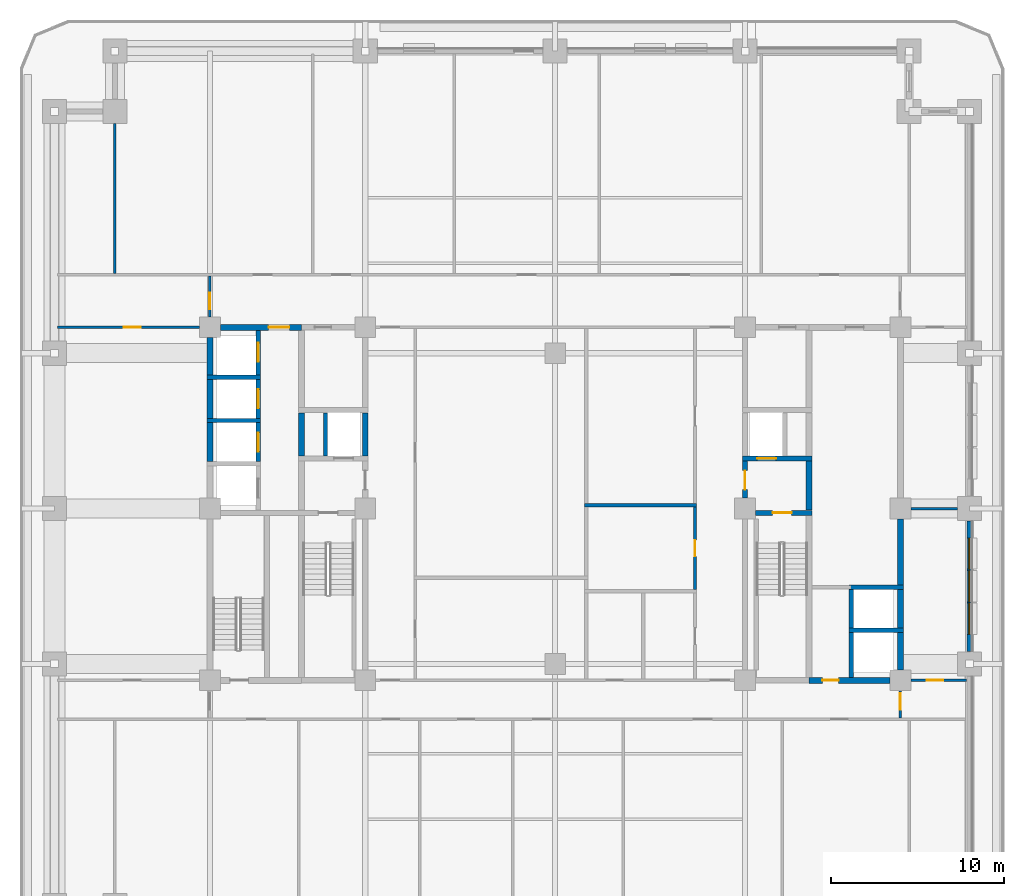
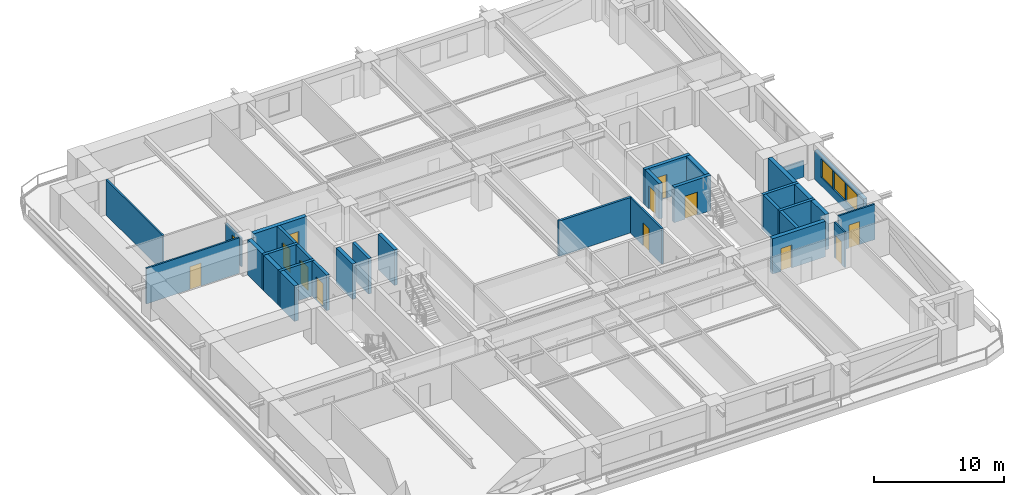
# One storey, part 4 of 14: 33 walls, 13 doors, 3 windows, 16 openings.
"""IFC4 building model written with IfcOpenShell, lengths in metres."""

import ifcopenshell
import ifcopenshell.guid

model = None  # the IFC model being written
_history = None  # IfcOwnerHistory: only IFC2X3 demands one
_inside = {}  # id of a spatial element -> (the spatial element, [elements in it])
_under = {}  # id of a project, library or spatial element -> (it, [spatial elements below it])
_declared = {}  # id of a project -> (the project, [libraries it declares])
_typed = {}  # id of a type object -> (the type object, [elements of that type])
_made_of = {}  # id of a material, layer set ... -> (it, [elements and type objects made of it])


def new_model(schema):
    """Start an empty IFC model of exactly this schema.

    Asked for "IFC4X3", IfcOpenShell would pick the latest addendum, in which some entities
    have other attributes; the version numbers below select the first issue.
    IFC2X3 requires an IfcOwnerHistory on every rooted entity: one is made here for all.
    """
    global model, _history
    if schema == "IFC4X3":
        model = ifcopenshell.file(schema_version=(4, 3, 0, 0))
    else:
        model = ifcopenshell.file(schema=schema)
    _inside.clear()
    _under.clear()
    _declared.clear()
    _typed.clear()
    _made_of.clear()
    _history = None
    if model.schema == "IFC2X3":
        org = make("IfcOrganization", Name="unknown")
        user = make(
            "IfcPersonAndOrganization",
            ThePerson=make("IfcPerson", FamilyName="unknown"),
            TheOrganization=org,
        )
        app = make(
            "IfcApplication",
            ApplicationDeveloper=org,
            Version="unknown",
            ApplicationFullName="unknown",
            ApplicationIdentifier="unknown",
        )
        _history = make(
            "IfcOwnerHistory",
            OwningUser=user,
            OwningApplication=app,
            ChangeAction="ADDED",
            CreationDate=0,
        )
    return model


def make(cls, **values):
    """One entity of the class cls with the attributes given. An attribute that is None is left unset."""
    return model.create_entity(
        cls, **{name: value for name, value in values.items() if value is not None}
    )


def rooted(cls, **values):
    """An entity with a GlobalId (a new one), such as an element, a storey or a relation."""
    return make(cls, GlobalId=ifcopenshell.guid.new(), OwnerHistory=_history, **values)


def si_unit(unit_type, name, prefix=None):
    """IfcSIUnit, for example si_unit("LENGTHUNIT", "METRE", prefix="MILLI")."""
    return make("IfcSIUnit", UnitType=unit_type, Prefix=prefix, Name=name)


def assignment(units):
    """IfcUnitAssignment: the units of a project."""
    return None if units is None else make("IfcUnitAssignment", Units=units)


def point(xyz):
    """IfcCartesianPoint."""
    return None if xyz is None else make("IfcCartesianPoint", Coordinates=xyz)


def direction(xyz):
    """IfcDirection."""
    return None if xyz is None else make("IfcDirection", DirectionRatios=xyz)


def frame(location, z_axis=None, x_axis=None):
    """IfcAxis2Placement3D, a coordinate frame: its origin and axes. An axis left out is left unset."""
    return make(
        "IfcAxis2Placement3D",
        Location=point(location),
        Axis=direction(z_axis),
        RefDirection=direction(x_axis),
    )


def frame_2d(location, x_axis=None):
    """IfcAxis2Placement2D, a coordinate frame in the plane: its origin and x axis."""
    return make(
        "IfcAxis2Placement2D", Location=point(location), RefDirection=direction(x_axis)
    )


def origin():
    """The frame at (0, 0, 0) with its axes left unset."""
    return frame((0.0, 0.0, 0.0))


def place(relative_to, where):
    """IfcLocalPlacement: puts the frame where relative to a parent placement (None: the world)."""
    return make(
        "IfcLocalPlacement", PlacementRelTo=relative_to, RelativePlacement=where
    )


def context(
    kind, dimensions, precision=None, world=None, true_north=None, identifier=None
):
    """IfcGeometricRepresentationContext, for example the 3D "Model" context."""
    return make(
        "IfcGeometricRepresentationContext",
        ContextIdentifier=identifier,
        ContextType=kind,
        CoordinateSpaceDimension=dimensions,
        Precision=precision,
        WorldCoordinateSystem=world,
        TrueNorth=true_north,
    )


def subcontext(parent, identifier, kind, view, scale=None):
    """IfcGeometricRepresentationSubContext, for example "Body" below "Model"."""
    return make(
        "IfcGeometricRepresentationSubContext",
        ContextIdentifier=identifier,
        ContextType=kind,
        ParentContext=parent,
        TargetScale=scale,
        TargetView=view,
    )


def project(units=None, contexts=None):
    """IfcProject with its units and contexts."""
    return rooted(
        "IfcProject",
        Name="project",
        RepresentationContexts=contexts,
        UnitsInContext=assignment(units),
    )


def spatial(cls, under=None, at=None, **own):
    """A site, building, storey or space (cls), placed at a placement, below another one or the project."""
    s = rooted(cls, ObjectPlacement=at, **own)
    if under is not None:
        _under.setdefault(under.id(), (under, []))[1].append(s)
    return s


def profile(cls, at=None, kind="AREA", **sizes):
    """A parametric profile (cls). Its sizes go by their IFC names, for example OverallWidth=200.0."""
    return make(cls, ProfileType=kind, Position=at, **sizes)


def rectangle(**sizes):
    """IfcRectangleProfileDef."""
    return profile("IfcRectangleProfileDef", **sizes)


def extrude(swept, where, along, depth):
    """IfcExtrudedAreaSolid: the profile swept, set in the frame where, extruded along a direction by depth."""
    return make(
        "IfcExtrudedAreaSolid",
        SweptArea=swept,
        Position=where,
        ExtrudedDirection=direction(along),
        Depth=depth,
    )


def shape(context_of_items, identifier, shape_type, items):
    """IfcShapeRepresentation: the items that make up one representation, for example the "Body"."""
    return make(
        "IfcShapeRepresentation",
        ContextOfItems=context_of_items,
        RepresentationIdentifier=identifier,
        RepresentationType=shape_type,
        Items=items,
    )


def material(Name=None, Category=None):
    """IfcMaterial."""
    return make("IfcMaterial", Name=Name, Category=Category)


def layer(
    of_material, thickness, ventilated=None, Name=None, Category=None, Priority=None
):
    """IfcMaterialLayer: one layer of a wall or slab, of a material (None: an air gap)."""
    return make(
        "IfcMaterialLayer",
        Material=of_material,
        LayerThickness=thickness,
        IsVentilated=ventilated,
        Name=Name,
        Category=Category,
        Priority=Priority,
    )


def layer_set(layers, Name=None):
    """IfcMaterialLayerSet."""
    return make("IfcMaterialLayerSet", MaterialLayers=layers, LayerSetName=Name)


def made_of(thing, what):
    """Note that an element or type object is made of a material, layer set ...; save() writes the relation."""
    if what is not None:
        _made_of.setdefault(what.id(), (what, []))[1].append(thing)
    return thing


def type_object(cls, material=None, **own):
    """A type object (cls), such as IfcWallType, which elements share."""
    return made_of(rooted(cls, **own), material)


def element(
    cls,
    number,
    at=None,
    inside=None,
    cuts=None,
    type_object=None,
    material=None,
    context=None,
    identifier="Body",
    shape_type=None,
    held_by="IfcProductDefinitionShape",
    body=None,
    shapes=None,
    **own,
):
    """One element of the class cls, such as IfcWall. Its Tag is "e" and its number.

    at: its placement. inside: the storey or other place that contains it. cuts: it is an
    opening in that element (IfcRelVoidsElement). A single representation is given by context,
    identifier, shape_type and body (its items); several are given by shapes. held_by: the class
    of the entity that holds the representations. save() writes the other relations.
    """
    e = rooted(cls, Tag="e%d" % number, ObjectPlacement=at, **own)
    if body is not None:
        shapes = [shape(context, identifier, shape_type, body)]
    if shapes is not None:
        e.Representation = make(held_by, Representations=shapes)
    if inside is not None:
        _inside.setdefault(inside.id(), (inside, []))[1].append(e)
    if cuts is not None:
        rooted(
            "IfcRelVoidsElement", RelatingBuildingElement=cuts, RelatedOpeningElement=e
        )
    if type_object is not None:
        _typed.setdefault(type_object.id(), (type_object, []))[1].append(e)
    return made_of(e, material)


def fill(opening, filler):
    """IfcRelFillsElement: the door or window that sits in an opening."""
    return rooted(
        "IfcRelFillsElement",
        RelatingOpeningElement=opening,
        RelatedBuildingElement=filler,
    )


def aggregate(whole, parts):
    """IfcRelAggregates: a whole, such as a stair, and the parts it consists of."""
    return rooted("IfcRelAggregates", RelatingObject=whole, RelatedObjects=parts)


def save(model, path):
    """Write the relations noted so far, then the file.

    IfcRelAggregates (storeys below a building ...), IfcRelContainedInSpatialStructure (elements
    in a storey), IfcRelDefinesByType, IfcRelAssociatesMaterial and IfcRelDeclares: one each for
    every whole, place, type object, material and project.
    """
    for whole, parts in _under.values():
        aggregate(whole, parts)
    for where, things in _inside.values():
        rooted(
            "IfcRelContainedInSpatialStructure",
            RelatedElements=things,
            RelatingStructure=where,
        )
    for kind, things in _typed.values():
        rooted("IfcRelDefinesByType", RelatedObjects=things, RelatingType=kind)
    for what, things in _made_of.values():
        rooted("IfcRelAssociatesMaterial", RelatedObjects=things, RelatingMaterial=what)
    for by, libraries in _declared.values():
        rooted("IfcRelDeclares", RelatingContext=by, RelatedDefinitions=libraries)
    model.write(path)


model = new_model("IFC4")

# Units and contexts
model_context = context("Model", 3, precision=1e-05, world=origin(), true_north=direction((0.0, 1.0)))
body_context = subcontext(model_context, "Body", "Model", "MODEL_VIEW")
ifc_project = project(units=[si_unit("LENGTHUNIT", "METRE"), si_unit("AREAUNIT", "SQUARE_METRE"), si_unit("VOLUMEUNIT", "CUBIC_METRE"), si_unit("PLANEANGLEUNIT", "RADIAN"), si_unit("MASSUNIT", "GRAM", prefix="KILO")], contexts=[model_context])

# Site, building, storey
site_placement = place(None, origin())
site = spatial("IfcSite", under=ifc_project, at=site_placement, CompositionType="ELEMENT")
building_placement = place(site_placement, origin())
building = spatial("IfcBuilding", under=site, at=building_placement, Name="Zulmaris Gate Convention Tower", CompositionType="ELEMENT")
storey_placement = place(building_placement, frame((0.0, 0.0, 60.760009765625)))
storey = spatial("IfcBuildingStorey", under=building, at=storey_placement, Name="L14", CompositionType="ELEMENT", Elevation=60.760009765625)

# Walls
ifc_material_1 = material(Name="Concrete C50/60", Category="concrete")
ifc_layer_1 = layer(ifc_material_1, 0.25, Name="Concrete C50/60")
ifc_layer_set_1 = layer_set([ifc_layer_1], Name="Concrete C50/60")
wall_type_1 = type_object("IfcWallType", Name="CORE-250", PredefinedType="SOLIDWALL", material=ifc_layer_set_1)
for number, where, z_axis, x_axis, name in (
    (1, (17.02490234375, -7.050048828125, 0.0), (0.0, 0.0, 1.0), (1.0, 0.0, 0.0), "WL-L14-005"),
    (2, (17.02490234375, -4.550048828125, 0.0), (0.0, 0.0, 1.0), (1.0, 0.0, 0.0), "WL-L14-006"),
):
    element("IfcWall", number, at=place(storey_placement, frame(where, z_axis=z_axis, x_axis=x_axis)), inside=storey, type_object=wall_type_1, Name=name, PredefinedType="SOLIDWALL", context=body_context, shape_type="SweptSolid", body=[
        extrude(rectangle(XDim=3.150146484375, YDim=0.25, at=frame_2d((1.5751953125, 0.0))), origin(), (0.0, 0.0, 1.0), 3.31982421875),
    ])
for number, where, z_axis, x_axis, name in (
    (3, (-20.175048828125, 5.10009765625, 0.0), (0.0, 0.0, 1.0), (1.0, 0.0, 0.0), "WL-L14-012"),
    (4, (-20.175048828125, 7.60009765625, 0.0), (0.0, 0.0, 1.0), (1.0, 0.0, 0.0), "WL-L14-015"),
):
    element("IfcWall", number, at=place(storey_placement, frame(where, z_axis=z_axis, x_axis=x_axis)), inside=storey, type_object=wall_type_1, Name=name, PredefinedType="SOLIDWALL", context=body_context, shape_type="SweptSolid", body=[
        extrude(rectangle(XDim=3.10009765625, YDim=0.25, at=frame_2d((1.550048828125, 0.0))), origin(), (0.0, 0.0, 1.0), 3.31982421875),
    ])

# Wall, opening, door
wall_1_placement = place(storey_placement, frame((-17.199951171875, 2.72705078125, 0.0), z_axis=(0.0, 0.0, 1.0), x_axis=(0.0, 1.0, 0.0)))
wall_1 = element("IfcWall", 5, at=wall_1_placement, inside=storey, type_object=wall_type_1, Name="WL-L14-039", PredefinedType="SOLIDWALL", context=body_context, shape_type="SweptSolid", body=[
    extrude(rectangle(XDim=2.245849609375, YDim=0.25, at=frame_2d((1.123046875, 0.0))), origin(), (0.0, 0.0, 1.0), 3.31982421875),
])
opening_1_placement = place(wall_1_placement, frame((0.572998046875, 0.0, 0.0)))
opening_1 = element("IfcOpeningElement", 6, at=opening_1_placement, cuts=wall_1, Name="Opening D-06", PredefinedType="OPENING", context=body_context, shape_type="SweptSolid", body=[
    extrude(rectangle(XDim=1.10009765625, YDim=2.199951171875, at=frame_2d((0.550048828125, 1.10009765625))), frame((0.0, 0.135009765625, 0.0), z_axis=(0.0, -1.0, 0.0), x_axis=(1.0, 0.0, 0.0)), (0.0, 0.0, 1.0), 0.27001953125),
])
ifc_material_2 = material(Name="Brushed Stainless Steel", Category="steel")
door_type_1 = type_object("IfcDoorType", Name="LD-1100", OperationType="NOTDEFINED", PredefinedType="DOOR", material=ifc_material_2)
door_1_placement = place(opening_1_placement, origin())
door_1 = element("IfcDoor", 7, at=door_1_placement, inside=storey, type_object=door_type_1, Name="L14 Lift Landing Door LP-02 12", OperationType="SLIDING_TO_LEFT", OverallHeight=2.199951171875, OverallWidth=1.10009765625, PredefinedType="DOOR", context=body_context, shape_type="SweptSolid", body=[
    extrude(rectangle(XDim=1.10009765625, YDim=2.199951171875, at=frame_2d((0.550048828125, 1.10009765625))), frame((0.0, 0.02490234375, 0.0), z_axis=(0.0, -1.0, 0.0), x_axis=(1.0, 0.0, 0.0)), (0.0, 0.0, 1.0), 0.050048828125),
])
fill(opening_1, door_1)

wall_2_placement = place(storey_placement, frame((-17.199951171875, 5.22705078125, 0.0), z_axis=(0.0, 0.0, 1.0), x_axis=(0.0, 1.0, 0.0)))
wall_2 = element("IfcWall", 8, at=wall_2_placement, inside=storey, type_object=wall_type_1, Name="WL-L14-040", PredefinedType="SOLIDWALL", context=body_context, shape_type="SweptSolid", body=[
    extrude(rectangle(XDim=2.245849609375, YDim=0.25, at=frame_2d((1.123046875, 0.0))), origin(), (0.0, 0.0, 1.0), 3.31982421875),
])
opening_2_placement = place(wall_2_placement, frame((0.572998046875, 0.0, 0.0)))
opening_2 = element("IfcOpeningElement", 9, at=opening_2_placement, cuts=wall_2, Name="Opening D-06", PredefinedType="OPENING", context=body_context, shape_type="SweptSolid", body=[
    extrude(rectangle(XDim=1.10009765625, YDim=2.199951171875, at=frame_2d((0.550048828125, 1.10009765625))), frame((0.0, 0.135009765625, 0.0), z_axis=(0.0, -1.0, 0.0), x_axis=(1.0, 0.0, 0.0)), (0.0, 0.0, 1.0), 0.27001953125),
])
door_2_placement = place(opening_2_placement, origin())
door_2 = element("IfcDoor", 10, at=door_2_placement, inside=storey, type_object=door_type_1, Name="L14 Lift Landing Door LP-03 13", OperationType="SLIDING_TO_LEFT", OverallHeight=2.199951171875, OverallWidth=1.10009765625, PredefinedType="DOOR", context=body_context, shape_type="SweptSolid", body=[
    extrude(rectangle(XDim=1.10009765625, YDim=2.199951171875, at=frame_2d((0.550048828125, 1.10009765625))), frame((0.0, 0.02490234375, 0.0), z_axis=(0.0, -1.0, 0.0), x_axis=(1.0, 0.0, 0.0)), (0.0, 0.0, 1.0), 0.050048828125),
])
fill(opening_2, door_2)

wall_3_placement = place(storey_placement, frame((-17.199951171875, 7.72705078125, 0.0), z_axis=(0.0, 0.0, 1.0), x_axis=(0.0, 1.0, 0.0)))
wall_3 = element("IfcWall", 11, at=wall_3_placement, inside=storey, type_object=wall_type_1, Name="WL-L14-041", PredefinedType="SOLIDWALL", context=body_context, shape_type="SweptSolid", body=[
    extrude(rectangle(XDim=2.595947265625, YDim=0.25, at=frame_2d((1.2978515625, 0.0))), origin(), (0.0, 0.0, 1.0), 3.31982421875),
])
opening_3_placement = place(wall_3_placement, frame((0.77294921875, 0.0, 0.0)))
opening_3 = element("IfcOpeningElement", 12, at=opening_3_placement, cuts=wall_3, Name="Opening D-06", PredefinedType="OPENING", context=body_context, shape_type="SweptSolid", body=[
    extrude(rectangle(XDim=1.10009765625, YDim=2.199951171875, at=frame_2d((0.550048828125, 1.10009765625))), frame((0.0, 0.135009765625, 0.0), z_axis=(0.0, -1.0, 0.0), x_axis=(1.0, 0.0, 0.0)), (0.0, 0.0, 1.0), 0.27001953125),
])
door_3_placement = place(opening_3_placement, origin())
door_3 = element("IfcDoor", 13, at=door_3_placement, inside=storey, type_object=door_type_1, Name="L14 Lift Landing Door LP-04 14", OperationType="SLIDING_TO_LEFT", OverallHeight=2.199951171875, OverallWidth=1.10009765625, PredefinedType="DOOR", context=body_context, shape_type="SweptSolid", body=[
    extrude(rectangle(XDim=1.10009765625, YDim=2.199951171875, at=frame_2d((0.550048828125, 1.10009765625))), frame((0.0, 0.02490234375, 0.0), z_axis=(0.0, -1.0, 0.0), x_axis=(1.0, 0.0, 0.0)), (0.0, 0.0, 1.0), 0.050048828125),
])
fill(opening_3, door_3)

# Walls
wall_4_placement = place(storey_placement, frame((-13.300048828125, 3.052001953125, 0.0), z_axis=(0.0, 0.0, 1.0), x_axis=(0.0, 1.0, 0.0)))
element("IfcWall", 14, at=wall_4_placement, inside=storey, type_object=wall_type_1, Name="WL-L14-047", PredefinedType="SOLIDWALL", context=body_context, shape_type="SweptSolid", body=[
    extrude(rectangle(XDim=2.49609375, YDim=0.25, at=frame_2d((1.248046875, 0.0))), origin(), (0.0, 0.0, 1.0), 3.31982421875),
])
wall_5_placement = place(storey_placement, frame((17.14990234375, -9.77294921875, 0.0), z_axis=(0.0, 0.0, 1.0), x_axis=(0.0, 1.0, 0.0)))
element("IfcWall", 15, at=wall_5_placement, inside=storey, type_object=wall_type_1, Name="WL-L14-063", PredefinedType="SOLIDWALL", context=body_context, shape_type="SweptSolid", body=[
    extrude(rectangle(XDim=2.595947265625, YDim=0.25, at=frame_2d((1.2978515625, 0.0))), origin(), (0.0, 0.0, 1.0), 3.31982421875),
])
wall_6_placement = place(storey_placement, frame((17.14990234375, -6.923095703125, 0.0), z_axis=(0.0, 0.0, 1.0), x_axis=(0.0, 1.0, 0.0)))
element("IfcWall", 16, at=wall_6_placement, inside=storey, type_object=wall_type_1, Name="WL-L14-064", PredefinedType="SOLIDWALL", context=body_context, shape_type="SweptSolid", body=[
    extrude(rectangle(XDim=2.24609375, YDim=0.25, at=frame_2d((1.123046875, 0.0))), origin(), (0.0, 0.0, 1.0), 3.31982421875),
])

# Wall, opening, door
ifc_layer_2 = layer(ifc_material_1, 0.300048828125, Name="Concrete C50/60")
ifc_layer_set_2 = layer_set([ifc_layer_2], Name="Concrete C50/60")
wall_type_2 = type_object("IfcWallType", Name="CORE-300", PredefinedType="SHEAR", material=ifc_layer_set_2)
wall_7_placement = place(storey_placement, frame((11.60400390625, -0.25, 0.0), z_axis=(0.0, 0.0, 1.0), x_axis=(1.0, 0.0, 0.0)))
wall_7 = element("IfcWall", 17, at=wall_7_placement, inside=storey, type_object=wall_type_2, Name="WL-L14-008", PredefinedType="SHEAR", context=body_context, shape_type="SweptSolid", body=[
    extrude(rectangle(XDim=3.27099609375, YDim=0.300048828125, at=frame_2d((1.635498046875, 0.0))), origin(), (0.0, 0.0, 1.0), 3.31982421875),
])
opening_4_placement = place(wall_7_placement, frame((0.99609375, 0.0, 0.0)))
opening_4 = element("IfcOpeningElement", 18, at=opening_4_placement, cuts=wall_7, Name="Opening D-08", PredefinedType="OPENING", context=body_context, shape_type="SweptSolid", body=[
    extrude(rectangle(XDim=1.10009765625, YDim=2.14990234375, at=frame_2d((0.550048828125, 1.074951171875))), frame((0.0, 0.16015625, 0.0), z_axis=(0.0, -1.0, 0.0), x_axis=(1.0, 0.0, 0.0)), (0.0, 0.0, 1.0), 0.320068359375),
])
ifc_material_3 = material(Name="Fire-Rated Steel", Category="steel")
door_type_2 = type_object("IfcDoorType", Name="DR-1100-FD", OperationType="NOTDEFINED", PredefinedType="DOOR", material=ifc_material_3)
door_4_placement = place(opening_4_placement, origin())
door_4 = element("IfcDoor", 19, at=door_4_placement, inside=storey, type_object=door_type_2, Name="L14 Exit Stair ST-2 Door 04", OperationType="SINGLE_SWING_RIGHT", OverallHeight=2.14990234375, OverallWidth=1.10009765625, PredefinedType="DOOR", context=body_context, shape_type="SweptSolid", body=[
    extrude(rectangle(XDim=1.10009765625, YDim=2.14990234375, at=frame_2d((0.550048828125, 1.074951171875))), frame((0.0, 0.02490234375, 0.0), z_axis=(0.0, -1.0, 0.0), x_axis=(1.0, 0.0, 0.0)), (0.0, 0.0, 1.0), 0.050048828125),
])
fill(opening_4, door_4)

wall_8_placement = place(storey_placement, frame((10.85009765625, 2.89990234375, 0.0), z_axis=(0.0, 0.0, 1.0), x_axis=(1.0, 0.0, 0.0)))
wall_8 = element("IfcWall", 20, at=wall_8_placement, inside=storey, type_object=wall_type_2, Name="WL-L14-011", PredefinedType="SHEAR", context=body_context, shape_type="SweptSolid", body=[
    extrude(rectangle(XDim=4.02490234375, YDim=0.300048828125, at=frame_2d((2.012451171875, 0.0))), origin(), (0.0, 0.0, 1.0), 3.31982421875),
])
opening_5_placement = place(wall_8_placement, frame((0.85009765625, 0.0, 0.0)))
opening_5 = element("IfcOpeningElement", 21, at=opening_5_placement, cuts=wall_8, Name="Opening D-06", PredefinedType="OPENING", context=body_context, shape_type="SweptSolid", body=[
    extrude(rectangle(XDim=1.10009765625, YDim=2.199951171875, at=frame_2d((0.550048828125, 1.10009765625))), frame((0.0, 0.16015625, 0.0), z_axis=(0.0, -1.0, 0.0), x_axis=(1.0, 0.0, 0.0)), (0.0, 0.0, 1.0), 0.320068359375),
])
door_5_placement = place(opening_5_placement, origin())
door_5 = element("IfcDoor", 22, at=door_5_placement, inside=storey, type_object=door_type_1, Name="L14 Lift Landing Door LF-02 06", OperationType="SLIDING_TO_RIGHT", OverallHeight=2.199951171875, OverallWidth=1.10009765625, PredefinedType="DOOR", context=body_context, shape_type="SweptSolid", body=[
    extrude(rectangle(XDim=1.10009765625, YDim=2.199951171875, at=frame_2d((0.550048828125, 1.10009765625))), frame((0.0, 0.02490234375, 0.0), z_axis=(0.0, -1.0, 0.0), x_axis=(1.0, 0.0, 0.0)), (0.0, 0.0, 1.0), 0.050048828125),
])
fill(opening_5, door_5)

# Wall
wall_9_placement = place(storey_placement, frame((-11.0, 3.052001953125, 0.0), z_axis=(0.0, 0.0, 1.0), x_axis=(0.0, 1.0, 0.0)))
element("IfcWall", 23, at=wall_9_placement, inside=storey, type_object=wall_type_2, Name="WL-L14-051", PredefinedType="SHEAR", context=body_context, shape_type="SweptSolid", body=[
    extrude(rectangle(XDim=2.49609375, YDim=0.300048828125, at=frame_2d((1.248046875, 0.0))), origin(), (0.0, 0.0, 1.0), 3.31982421875),
])

# Wall, opening, door
wall_10_placement = place(storey_placement, frame((11.0, 0.60400390625, 0.0), z_axis=(0.0, 0.0, 1.0), x_axis=(0.0, 1.0, 0.0)))
wall_10 = element("IfcWall", 24, at=wall_10_placement, inside=storey, type_object=wall_type_2, Name="WL-L14-054", PredefinedType="SHEAR", context=body_context, shape_type="SweptSolid", body=[
    extrude(rectangle(XDim=2.14404296875, YDim=0.300048828125, at=frame_2d((1.072021484375, 0.0))), origin(), (0.0, 0.0, 1.0), 3.31982421875),
])
opening_6_placement = place(wall_10_placement, frame((0.49609375, 0.0, 0.0)))
opening_6 = element("IfcOpeningElement", 25, at=opening_6_placement, cuts=wall_10, Name="Opening D-08", PredefinedType="OPENING", context=body_context, shape_type="SweptSolid", body=[
    extrude(rectangle(XDim=1.10009765625, YDim=2.14990234375, at=frame_2d((0.550048828125, 1.074951171875))), frame((0.0, 0.16015625, 0.0), z_axis=(0.0, -1.0, 0.0), x_axis=(1.0, 0.0, 0.0)), (0.0, 0.0, 1.0), 0.320068359375),
])
door_6_placement = place(opening_6_placement, origin())
door_6 = element("IfcDoor", 26, at=door_6_placement, inside=storey, type_object=door_type_2, Name="L14 East Firefighting Lobby Door 05", OperationType="SINGLE_SWING_LEFT", OverallHeight=2.14990234375, OverallWidth=1.10009765625, PredefinedType="DOOR", context=body_context, shape_type="SweptSolid", body=[
    extrude(rectangle(XDim=1.10009765625, YDim=2.14990234375, at=frame_2d((0.550048828125, 1.074951171875))), frame((0.0, 0.02490234375, 0.0), z_axis=(0.0, -1.0, 0.0), x_axis=(1.0, 0.0, 0.0)), (0.0, 0.0, 1.0), 0.050048828125),
])
fill(opening_6, door_6)

ifc_material_4 = material(Name="Concrete C55/67", Category="concrete")
ifc_layer_3 = layer(ifc_material_4, 0.35009765625, Name="Concrete C55/67")
ifc_layer_set_3 = layer_set([ifc_layer_3], Name="Concrete C55/67")
wall_type_3 = type_object("IfcWallType", Name="CORE-350", PredefinedType="SHEAR", material=ifc_layer_set_3)
wall_11_placement = place(storey_placement, frame((14.699951171875, -9.949951171875, 0.0), z_axis=(0.0, 0.0, 1.0), x_axis=(1.0, 0.0, 0.0)))
wall_11 = element("IfcWall", 27, at=wall_11_placement, inside=storey, type_object=wall_type_3, Name="WL-L14-004", PredefinedType="SHEAR", context=body_context, shape_type="SweptSolid", body=[
    extrude(rectangle(XDim=4.696044921875, YDim=0.35009765625, at=frame_2d((2.34814453125, 0.0))), origin(), (0.0, 0.0, 1.0), 3.31982421875),
])
opening_7_placement = place(wall_11_placement, frame((0.77490234375, 0.0, 0.0)))
opening_7 = element("IfcOpeningElement", 28, at=opening_7_placement, cuts=wall_11, Name="Opening D-11", PredefinedType="OPENING", context=body_context, shape_type="SweptSolid", body=[
    extrude(rectangle(XDim=0.949951171875, YDim=2.14990234375, at=frame_2d((0.47509765625, 1.074951171875))), frame((0.0, 0.18505859375, 0.0), z_axis=(0.0, -1.0, 0.0), x_axis=(1.0, 0.0, 0.0)), (0.0, 0.0, 1.0), 0.3701171875),
])
ifc_material_5 = material(Name="Fire-Rated Timber", Category="wood")
door_type_3 = type_object("IfcDoorType", Name="DR-950-FD", OperationType="NOTDEFINED", PredefinedType="DOOR", material=ifc_material_5)
door_7_placement = place(opening_7_placement, origin())
door_7 = element("IfcDoor", 29, at=door_7_placement, inside=storey, type_object=door_type_3, Name="L14 East Cleaners Store Door 15", OperationType="SINGLE_SWING_RIGHT", OverallHeight=2.14990234375, OverallWidth=0.949951171875, PredefinedType="DOOR", context=body_context, shape_type="SweptSolid", body=[
    extrude(rectangle(XDim=0.949951171875, YDim=2.14990234375, at=frame_2d((0.47509765625, 1.074951171875))), frame((0.0, 0.02490234375, 0.0), z_axis=(0.0, -1.0, 0.0), x_axis=(1.0, 0.0, 0.0)), (0.0, 0.0, 1.0), 0.050048828125),
])
fill(opening_7, door_7)

wall_12_placement = place(storey_placement, frame((-19.39599609375, 10.5, 0.0), z_axis=(0.0, 0.0, 1.0), x_axis=(1.0, 0.0, 0.0)))
wall_12 = element("IfcWall", 30, at=wall_12_placement, inside=storey, type_object=wall_type_3, Name="WL-L14-016", PredefinedType="SHEAR", context=body_context, shape_type="SweptSolid", body=[
    extrude(rectangle(XDim=4.696044921875, YDim=0.35009765625, at=frame_2d((2.34814453125, 0.0))), origin(), (0.0, 0.0, 1.0), 3.31982421875),
])
opening_8_placement = place(wall_12_placement, frame((2.7958984375, 0.0, 0.0)))
opening_8 = element("IfcOpeningElement", 31, at=opening_8_placement, cuts=wall_12, Name="Opening D-13", PredefinedType="OPENING", context=body_context, shape_type="SweptSolid", body=[
    extrude(rectangle(XDim=1.199951171875, YDim=2.14990234375, at=frame_2d((0.60009765625, 1.074951171875))), frame((0.0, 0.18505859375, 0.0), z_axis=(0.0, -1.0, 0.0), x_axis=(1.0, 0.0, 0.0)), (0.0, 0.0, 1.0), 0.3701171875),
])
door_type_4 = type_object("IfcDoorType", Name="DR-1200-FD", OperationType="NOTDEFINED", PredefinedType="DOOR", material=ifc_material_3)
door_8_placement = place(opening_8_placement, origin())
door_8 = element("IfcDoor", 32, at=door_8_placement, inside=storey, type_object=door_type_4, Name="L14 Low-Rise Lift Lobby Door 10", OperationType="SINGLE_SWING_LEFT", OverallHeight=2.14990234375, OverallWidth=1.199951171875, PredefinedType="DOOR", context=body_context, shape_type="SweptSolid", body=[
    extrude(rectangle(XDim=1.199951171875, YDim=2.14990234375, at=frame_2d((0.60009765625, 1.074951171875))), frame((0.0, 0.02490234375, 0.0), z_axis=(0.0, -1.0, 0.0), x_axis=(1.0, 0.0, 0.0)), (0.0, 0.0, 1.0), 0.050048828125),
])
fill(opening_8, door_8)

# Walls
for number, where, z_axis, x_axis, name in (
    (33, (-20.0, 2.72705078125, 0.0), (0.0, 0.0, 1.0), (0.0, 1.0, 0.0), "WL-L14-035"),
    (34, (-20.0, 5.22705078125, 0.0), (0.0, 0.0, 1.0), (0.0, 1.0, 0.0), "WL-L14-036"),
):
    element("IfcWall", number, at=place(storey_placement, frame(where, z_axis=z_axis, x_axis=x_axis)), inside=storey, type_object=wall_type_3, Name=name, PredefinedType="SHEAR", context=body_context, shape_type="SweptSolid", body=[
        extrude(rectangle(XDim=2.245849609375, YDim=0.35009765625, at=frame_2d((1.123046875, 0.0))), origin(), (0.0, 0.0, 1.0), 3.31982421875),
    ])
wall_13_placement = place(storey_placement, frame((-20.0, 7.72705078125, 0.0), z_axis=(0.0, 0.0, 1.0), x_axis=(0.0, 1.0, 0.0)))
element("IfcWall", 35, at=wall_13_placement, inside=storey, type_object=wall_type_3, Name="WL-L14-037", PredefinedType="SHEAR", context=body_context, shape_type="SweptSolid", body=[
    extrude(rectangle(XDim=2.1689453125, YDim=0.35009765625, at=frame_2d((1.08447265625, 0.0))), origin(), (0.0, 0.0, 1.0), 3.31982421875),
])
wall_14_placement = place(storey_placement, frame((-14.699951171875, 3.052001953125, 0.0), z_axis=(0.0, 0.0, 1.0), x_axis=(0.0, 1.0, 0.0)))
element("IfcWall", 36, at=wall_14_placement, inside=storey, type_object=wall_type_3, Name="WL-L14-045", PredefinedType="SHEAR", context=body_context, shape_type="SweptSolid", body=[
    extrude(rectangle(XDim=2.49609375, YDim=0.35009765625, at=frame_2d((1.248046875, 0.0))), origin(), (0.0, 0.0, 1.0), 3.31982421875),
])
wall_15_placement = place(storey_placement, frame((14.699951171875, -0.097900390625, 0.0), z_axis=(0.0, 0.0, 1.0), x_axis=(0.0, 1.0, 0.0)))
element("IfcWall", 37, at=wall_15_placement, inside=storey, type_object=wall_type_3, Name="WL-L14-060", PredefinedType="SHEAR", context=body_context, shape_type="SweptSolid", body=[
    extrude(rectangle(XDim=2.845947265625, YDim=0.35009765625, at=frame_2d((1.4228515625, 0.0))), origin(), (0.0, 0.0, 1.0), 3.31982421875),
])
wall_16_placement = place(storey_placement, frame((20.0, -9.345947265625, 0.0), z_axis=(0.0, 0.0, 1.0), x_axis=(0.0, 1.0, 0.0)))
element("IfcWall", 38, at=wall_16_placement, inside=storey, type_object=wall_type_3, Name="WL-L14-065", PredefinedType="SHEAR", context=body_context, shape_type="SweptSolid", body=[
    extrude(rectangle(XDim=2.1689453125, YDim=0.35009765625, at=frame_2d((1.08447265625, 0.0))), origin(), (0.0, 0.0, 1.0), 3.31982421875),
])
wall_17_placement = place(storey_placement, frame((20.0, -6.923095703125, 0.0), z_axis=(0.0, 0.0, 1.0), x_axis=(0.0, 1.0, 0.0)))
element("IfcWall", 39, at=wall_17_placement, inside=storey, type_object=wall_type_3, Name="WL-L14-066", PredefinedType="SHEAR", context=body_context, shape_type="SweptSolid", body=[
    extrude(rectangle(XDim=2.24609375, YDim=0.35009765625, at=frame_2d((1.123046875, 0.0))), origin(), (0.0, 0.0, 1.0), 3.31982421875),
])
wall_18_placement = place(storey_placement, frame((20.0, -4.423095703125, 0.0), z_axis=(0.0, 0.0, 1.0), x_axis=(0.0, 1.0, 0.0)))
element("IfcWall", 40, at=wall_18_placement, inside=storey, type_object=wall_type_3, Name="WL-L14-067", PredefinedType="SHEAR", context=body_context, shape_type="SweptSolid", body=[
    extrude(rectangle(XDim=3.819091796875, YDim=0.35009765625, at=frame_2d((1.90966796875, 0.0))), origin(), (0.0, 0.0, 1.0), 3.31982421875),
])

# Wall, opening, door
ifc_material_6 = material(Name="Gypsum Metal Stud Partition")
ifc_layer_4 = layer(ifc_material_6, 0.14990234375, Name="Gypsum Metal Stud Partition")
ifc_layer_set_4 = layer_set([ifc_layer_4], Name="Gypsum Metal Stud Partition")
wall_type_4 = type_object("IfcWallType", Name="PART-150", PredefinedType="PARTITIONING", material=ifc_layer_set_4)
wall_19_placement = place(storey_placement, frame((20.60595703125, -9.949951171875, 0.0), z_axis=(0.0, 0.0, 1.0), x_axis=(1.0, 0.0, 0.0)))
wall_19 = element("IfcWall", 41, at=wall_19_placement, inside=storey, type_object=wall_type_4, Name="WL-L14-023", PredefinedType="PARTITIONING", context=body_context, shape_type="SweptSolid", body=[
    extrude(rectangle(XDim=3.22900390625, YDim=0.14990234375, at=frame_2d((1.614501953125, 0.0))), origin(), (0.0, 0.0, 1.0), 3.31982421875),
])
opening_9_placement = place(wall_19_placement, frame((0.9189453125, 0.0, 0.0)))
opening_9 = element("IfcOpeningElement", 42, at=opening_9_placement, cuts=wall_19, Name="Opening D-11", PredefinedType="OPENING", context=body_context, shape_type="SweptSolid", body=[
    extrude(rectangle(XDim=0.949951171875, YDim=2.14990234375, at=frame_2d((0.47509765625, 1.074951171875))), frame((0.0, 0.0849609375, 0.0), z_axis=(0.0, -1.0, 0.0), x_axis=(1.0, 0.0, 0.0)), (0.0, 0.0, 1.0), 0.169921875),
])
door_9_placement = place(opening_9_placement, origin())
door_9 = element("IfcDoor", 43, at=door_9_placement, inside=storey, type_object=door_type_3, Name="L14 SE Partner Door 45", OperationType="SINGLE_SWING_RIGHT", OverallHeight=2.14990234375, OverallWidth=0.949951171875, PredefinedType="DOOR", context=body_context, shape_type="SweptSolid", body=[
    extrude(rectangle(XDim=0.949951171875, YDim=2.14990234375, at=frame_2d((0.47509765625, 1.074951171875))), frame((0.0, 0.02490234375, 0.0), z_axis=(0.0, -1.0, 0.0), x_axis=(1.0, 0.0, 0.0)), (0.0, 0.0, 1.0), 0.050048828125),
])
fill(opening_9, door_9)

# Wall
wall_20_placement = place(storey_placement, frame((20.60595703125, 0.0, 0.0), z_axis=(0.0, 0.0, 1.0), x_axis=(1.0, 0.0, 0.0)))
element("IfcWall", 44, at=wall_20_placement, inside=storey, type_object=wall_type_4, Name="WL-L14-027", PredefinedType="PARTITIONING", context=body_context, shape_type="SweptSolid", body=[
    extrude(rectangle(XDim=2.68798828125, YDim=0.14990234375, at=frame_2d((1.343994140625, 0.0))), origin(), (0.0, 0.0, 1.0), 1.51171875),
])

# Wall, opening, door
wall_21_placement = place(storey_placement, frame((-28.8349609375, 10.5, 0.0), z_axis=(0.0, 0.0, 1.0), x_axis=(1.0, 0.0, 0.0)))
wall_21 = element("IfcWall", 45, at=wall_21_placement, inside=storey, type_object=wall_type_4, Name="WL-L14-029", PredefinedType="PARTITIONING", context=body_context, shape_type="SweptSolid", body=[
    extrude(rectangle(XDim=8.22900390625, YDim=0.14990234375, at=frame_2d((4.114501953125, 0.0))), origin(), (0.0, 0.0, 1.0), 3.31982421875),
])
opening_10_placement = place(wall_21_placement, frame((3.8349609375, 0.0, 0.0)))
opening_10 = element("IfcOpeningElement", 46, at=opening_10_placement, cuts=wall_21, Name="Opening D-10", PredefinedType="OPENING", context=body_context, shape_type="SweptSolid", body=[
    extrude(rectangle(XDim=1.0, YDim=2.14990234375, at=frame_2d((0.5, 1.074951171875))), frame((0.0, 0.0849609375, 0.0), z_axis=(0.0, -1.0, 0.0), x_axis=(1.0, 0.0, 0.0)), (0.0, 0.0, 1.0), 0.169921875),
])
door_type_5 = type_object("IfcDoorType", Name="DR-1000-FD", OperationType="NOTDEFINED", PredefinedType="DOOR", material=ifc_material_5)
door_10_placement = place(opening_10_placement, origin())
door_10 = element("IfcDoor", 47, at=door_10_placement, inside=storey, type_object=door_type_5, Name="L14 West Workplace North Door 40", OperationType="SINGLE_SWING_LEFT", OverallHeight=2.14990234375, OverallWidth=1.0, PredefinedType="DOOR", context=body_context, shape_type="SweptSolid", body=[
    extrude(rectangle(XDim=1.0, YDim=2.14990234375, at=frame_2d((0.5, 1.074951171875))), frame((0.0, 0.02490234375, 0.0), z_axis=(0.0, -1.0, 0.0), x_axis=(1.0, 0.0, 0.0)), (0.0, 0.0, 1.0), 0.050048828125),
])
fill(opening_10, door_10)

# Wall
wall_22_placement = place(storey_placement, frame((-25.5, 13.6279296875, 0.0), z_axis=(0.0, 0.0, 1.0), x_axis=(0.0, 1.0, 0.0)))
element("IfcWall", 48, at=wall_22_placement, inside=storey, type_object=wall_type_4, Name="WL-L14-069", PredefinedType="PARTITIONING", context=body_context, shape_type="SweptSolid", body=[
    extrude(rectangle(XDim=8.666015625, YDim=0.14990234375, at=frame_2d((4.3330078125, 0.0))), origin(), (0.0, 0.0, 1.0), 3.31982421875),
])

# Wall, opening, door
wall_23_placement = place(storey_placement, frame((-20.0, 11.10595703125, 0.0), z_axis=(0.0, 0.0, 1.0), x_axis=(0.0, 1.0, 0.0)))
wall_23 = element("IfcWall", 49, at=wall_23_placement, inside=storey, type_object=wall_type_4, Name="WL-L14-071", PredefinedType="PARTITIONING", context=body_context, shape_type="SweptSolid", body=[
    extrude(rectangle(XDim=2.365966796875, YDim=0.14990234375, at=frame_2d((1.18310546875, 0.0))), origin(), (0.0, 0.0, 1.0), 2.659912109375),
])
opening_11_placement = place(wall_23_placement, frame((0.448974609375, 0.0, 0.0)))
opening_11 = element("IfcOpeningElement", 50, at=opening_11_placement, cuts=wall_23, Name="Opening D-11", PredefinedType="OPENING", context=body_context, shape_type="SweptSolid", body=[
    extrude(rectangle(XDim=0.949951171875, YDim=2.14990234375, at=frame_2d((0.47509765625, 1.074951171875))), frame((0.0, 0.0849609375, 0.0), z_axis=(0.0, -1.0, 0.0), x_axis=(1.0, 0.0, 0.0)), (0.0, 0.0, 1.0), 0.169921875),
])
door_11_placement = place(opening_11_placement, origin())
door_11 = element("IfcDoor", 51, at=door_11_placement, inside=storey, type_object=door_type_3, Name="L14 NW Spur Door 38", OperationType="SINGLE_SWING_LEFT", OverallHeight=2.14990234375, OverallWidth=0.949951171875, PredefinedType="DOOR", context=body_context, shape_type="SweptSolid", body=[
    extrude(rectangle(XDim=0.949951171875, YDim=2.14990234375, at=frame_2d((0.47509765625, 1.074951171875))), frame((0.0, 0.02490234375, 0.0), z_axis=(0.0, -1.0, 0.0), x_axis=(1.0, 0.0, 0.0)), (0.0, 0.0, 1.0), 0.050048828125),
])
fill(opening_11, door_11)

wall_24_placement = place(storey_placement, frame((8.10009765625, -4.697021484375, 0.0), z_axis=(0.0, 0.0, 1.0), x_axis=(0.0, 1.0, 0.0)))
wall_24 = element("IfcWall", 52, at=wall_24_placement, inside=storey, type_object=wall_type_4, Name="WL-L14-087", PredefinedType="PARTITIONING", context=body_context, shape_type="SweptSolid", body=[
    extrude(rectangle(XDim=4.7939453125, YDim=0.14990234375, at=frame_2d((2.39697265625, 0.0))), origin(), (0.0, 0.0, 1.0), 3.31982421875),
])
opening_12_placement = place(wall_24_placement, frame((1.922119140625, 0.0, 0.0)))
opening_12 = element("IfcOpeningElement", 53, at=opening_12_placement, cuts=wall_24, Name="Opening D-11", PredefinedType="OPENING", context=body_context, shape_type="SweptSolid", body=[
    extrude(rectangle(XDim=0.949951171875, YDim=2.14990234375, at=frame_2d((0.47509765625, 1.074951171875))), frame((0.0, 0.0849609375, 0.0), z_axis=(0.0, -1.0, 0.0), x_axis=(1.0, 0.0, 0.0)), (0.0, 0.0, 1.0), 0.169921875),
])
door_12_placement = place(opening_12_placement, origin())
door_12 = element("IfcDoor", 54, at=door_12_placement, inside=storey, type_object=door_type_3, Name="L14 Public WC Door 35", OperationType="SINGLE_SWING_RIGHT", OverallHeight=2.14990234375, OverallWidth=0.949951171875, PredefinedType="DOOR", context=body_context, shape_type="SweptSolid", body=[
    extrude(rectangle(XDim=0.949951171875, YDim=2.14990234375, at=frame_2d((0.47509765625, 1.074951171875))), frame((0.0, 0.02490234375, 0.0), z_axis=(0.0, -1.0, 0.0), x_axis=(1.0, 0.0, 0.0)), (0.0, 0.0, 1.0), 0.050048828125),
])
fill(opening_12, door_12)

wall_25_placement = place(storey_placement, frame((20.0, -12.1220703125, 0.0), z_axis=(0.0, 0.0, 1.0), x_axis=(0.0, 1.0, 0.0)))
wall_25 = element("IfcWall", 55, at=wall_25_placement, inside=storey, type_object=wall_type_4, Name="WL-L14-091", PredefinedType="PARTITIONING", context=body_context, shape_type="SweptSolid", body=[
    extrude(rectangle(XDim=1.566162109375, YDim=0.14990234375, at=frame_2d((0.783203125, 0.0))), origin(), (0.0, 0.0, 1.0), 3.31982421875),
])
opening_13_placement = place(wall_25_placement, frame((0.466064453125, 0.0, 0.0)))
opening_13 = element("IfcOpeningElement", 56, at=opening_13_placement, cuts=wall_25, Name="Opening D-11", PredefinedType="OPENING", context=body_context, shape_type="SweptSolid", body=[
    extrude(rectangle(XDim=0.949951171875, YDim=2.14990234375, at=frame_2d((0.47509765625, 1.074951171875))), frame((0.0, 0.0849609375, 0.0), z_axis=(0.0, -1.0, 0.0), x_axis=(1.0, 0.0, 0.0)), (0.0, 0.0, 1.0), 0.169921875),
])
door_13_placement = place(opening_13_placement, origin())
door_13 = element("IfcDoor", 57, at=door_13_placement, inside=storey, type_object=door_type_3, Name="L14 SE Spur Door 43", OperationType="SINGLE_SWING_RIGHT", OverallHeight=2.14990234375, OverallWidth=0.949951171875, PredefinedType="DOOR", context=body_context, shape_type="SweptSolid", body=[
    extrude(rectangle(XDim=0.949951171875, YDim=2.14990234375, at=frame_2d((0.47509765625, 1.074951171875))), frame((0.0, 0.02490234375, 0.0), z_axis=(0.0, -1.0, 0.0), x_axis=(1.0, 0.0, 0.0)), (0.0, 0.0, 1.0), 0.050048828125),
])
fill(opening_13, door_13)

# Wall
ifc_material_7 = material(Name="Autoclaved Aerated Concrete Block and Plasterboard", Category="concrete")
ifc_layer_5 = layer(ifc_material_7, 0.199951171875, Name="Autoclaved Aerated Concrete Block and Plasterboard")
ifc_layer_set_5 = layer_set([ifc_layer_5], Name="Autoclaved Aerated Concrete Block and Plasterboard")
wall_type_5 = type_object("IfcWallType", Name="PART-200", PredefinedType="PARTITIONING", material=ifc_layer_set_5)
wall_26_placement = place(storey_placement, frame((1.699951171875, 0.199951171875, 0.0), z_axis=(0.0, 0.0, 1.0), x_axis=(1.0, 0.0, 0.0)))
element("IfcWall", 58, at=wall_26_placement, inside=storey, type_object=wall_type_5, Name="WL-L14-028", PredefinedType="PARTITIONING", context=body_context, shape_type="SweptSolid", body=[
    extrude(rectangle(XDim=6.47509765625, YDim=0.199951171875, at=frame_2d((3.237548828125, 0.0))), origin(), (0.0, 0.0, 1.0), 3.31982421875),
])

# Wall, openings, windows
ifc_material_8 = material(Name="Precast concrete C40/50", Category="concrete")
ifc_layer_6 = layer(ifc_material_8, 0.300048828125, Name="Precast concrete C40/50")
ifc_layer_set_6 = layer_set([ifc_layer_6], Name="Precast concrete C40/50")
wall_type_6 = type_object("IfcWallType", Name="PRECAST-PIER-300", PredefinedType="STANDARD", material=ifc_layer_set_6)
wall_27_placement = place(storey_placement, frame((24.0, -8.27001953125, 0.0), z_axis=(0.0, 0.0, 1.0), x_axis=(0.0, 1.0, 0.0)))
wall_27 = element("IfcWall", 59, at=wall_27_placement, inside=storey, type_object=wall_type_6, Name="EW-L14-E-1_0", PredefinedType="STANDARD", context=body_context, shape_type="SweptSolid", body=[
    extrude(rectangle(XDim=7.5400390625, YDim=0.300048828125, at=frame_2d((3.77001953125, 0.0))), origin(), (0.0, 0.0, 1.0), 2.711669921875),
])
opening_14_placement = place(wall_27_placement, frame((0.985107421875, 0.0, 0.780029296875)))
opening_14 = element("IfcOpeningElement", 60, at=opening_14_placement, cuts=wall_27, Name="Opening W-02", PredefinedType="OPENING", context=body_context, shape_type="SweptSolid", body=[
    extrude(rectangle(XDim=1.800048828125, YDim=1.719970703125, at=frame_2d((0.89990234375, 0.85986328125))), frame((0.0, 0.16015625, 0.0), z_axis=(0.0, -1.0, 0.0), x_axis=(1.0, 0.0, 0.0)), (0.0, 0.0, 1.0), 0.320068359375),
])
opening_15_placement = place(wall_27_placement, frame((2.8701171875, 0.0, 0.780029296875)))
opening_15 = element("IfcOpeningElement", 61, at=opening_15_placement, cuts=wall_27, Name="Opening W-02", PredefinedType="OPENING", context=body_context, shape_type="SweptSolid", body=[
    extrude(rectangle(XDim=1.800048828125, YDim=1.719970703125, at=frame_2d((0.89990234375, 0.85986328125))), frame((0.0, 0.16015625, 0.0), z_axis=(0.0, -1.0, 0.0), x_axis=(1.0, 0.0, 0.0)), (0.0, 0.0, 1.0), 0.320068359375),
])
opening_16_placement = place(wall_27_placement, frame((4.7548828125, 0.0, 0.780029296875)))
opening_16 = element("IfcOpeningElement", 62, at=opening_16_placement, cuts=wall_27, Name="Opening W-02", PredefinedType="OPENING", context=body_context, shape_type="SweptSolid", body=[
    extrude(rectangle(XDim=1.800048828125, YDim=1.719970703125, at=frame_2d((0.89990234375, 0.85986328125))), frame((0.0, 0.16015625, 0.0), z_axis=(0.0, -1.0, 0.0), x_axis=(1.0, 0.0, 0.0)), (0.0, 0.0, 1.0), 0.320068359375),
])
ifc_material_9 = material(Name="Low-E Laminated Double Glazing in Aluminium Frame", Category="aluminium")
window_type = type_object("IfcWindowType", Name="WIN-1800x2200", PartitioningType="SINGLE_PANEL", PredefinedType="WINDOW", material=ifc_material_9)
window_1_placement = place(opening_14_placement, origin())
window_1 = element("IfcWindow", 63, at=window_1_placement, inside=storey, type_object=window_type, Name="WN-EW-L14-E-1_0-1", OverallHeight=1.719970703125, OverallWidth=1.800048828125, PartitioningType="SINGLE_PANEL", PredefinedType="WINDOW", context=body_context, shape_type="SweptSolid", body=[
    extrude(rectangle(XDim=1.800048828125, YDim=1.719970703125, at=frame_2d((0.89990234375, 0.85986328125))), frame((0.0, 0.030029296875, 0.0), z_axis=(0.0, -1.0, 0.0), x_axis=(1.0, 0.0, 0.0)), (0.0, 0.0, 1.0), 0.06005859375),
])
fill(opening_14, window_1)
window_2_placement = place(opening_15_placement, origin())
window_2 = element("IfcWindow", 64, at=window_2_placement, inside=storey, type_object=window_type, Name="WN-EW-L14-E-1_0-2", OverallHeight=1.719970703125, OverallWidth=1.800048828125, PartitioningType="SINGLE_PANEL", PredefinedType="WINDOW", context=body_context, shape_type="SweptSolid", body=[
    extrude(rectangle(XDim=1.800048828125, YDim=1.719970703125, at=frame_2d((0.89990234375, 0.85986328125))), frame((0.0, 0.030029296875, 0.0), z_axis=(0.0, -1.0, 0.0), x_axis=(1.0, 0.0, 0.0)), (0.0, 0.0, 1.0), 0.06005859375),
])
fill(opening_15, window_2)
window_3_placement = place(opening_16_placement, origin())
window_3 = element("IfcWindow", 65, at=window_3_placement, inside=storey, type_object=window_type, Name="WN-EW-L14-E-1_0-3", OverallHeight=1.719970703125, OverallWidth=1.800048828125, PartitioningType="SINGLE_PANEL", PredefinedType="WINDOW", context=body_context, shape_type="SweptSolid", body=[
    extrude(rectangle(XDim=1.800048828125, YDim=1.719970703125, at=frame_2d((0.89990234375, 0.85986328125))), frame((0.0, 0.030029296875, 0.0), z_axis=(0.0, -1.0, 0.0), x_axis=(1.0, 0.0, 0.0)), (0.0, 0.0, 1.0), 0.06005859375),
])
fill(opening_16, window_3)

save(model, "model.ifc")
